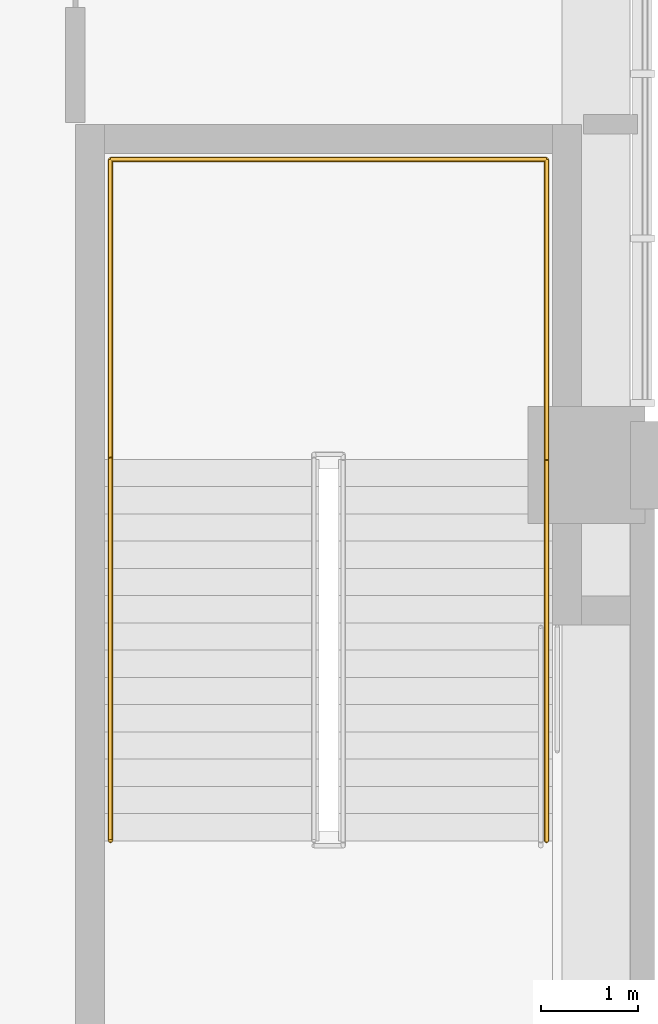
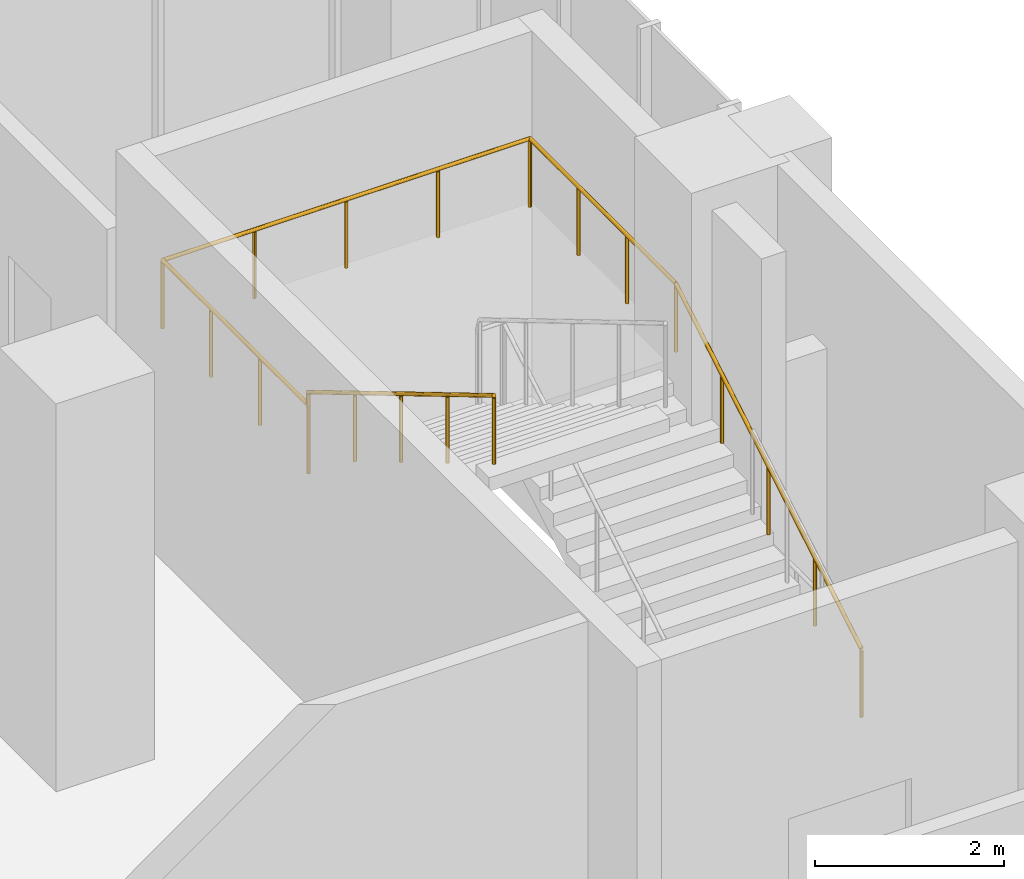
# One storey, part 24 of 24: 1 railing.
"""IFC4 building model written with IfcOpenShell, lengths in metres."""

from ifc_helpers import new_model, si_unit, direction, frame, origin, origin_2d, place, context, subcontext, project, spatial, circle, extrude, material, type_object, element, save


model = new_model("IFC4")

# Units and contexts
model_context = context("Model", 3, precision=1e-05, world=origin(), true_north=direction((0.0, 1.0)))
body_context = subcontext(model_context, "Body", "Model", "MODEL_VIEW")
ifc_project = project(units=[si_unit("LENGTHUNIT", "METRE"), si_unit("AREAUNIT", "SQUARE_METRE"), si_unit("VOLUMEUNIT", "CUBIC_METRE"), si_unit("PLANEANGLEUNIT", "RADIAN"), si_unit("MASSUNIT", "GRAM", prefix="KILO")], contexts=[model_context])

# Site, building, storey
site_placement = place(None, origin())
site = spatial("IfcSite", under=ifc_project, at=site_placement, CompositionType="ELEMENT")
building_placement = place(site_placement, origin())
building = spatial("IfcBuilding", under=site, at=building_placement, Name="Khuree Lantern Residences", CompositionType="ELEMENT")
storey_placement = place(building_placement, frame((0.0, 0.0, 6.0)))
storey = spatial("IfcBuildingStorey", under=building, at=storey_placement, Name="L01", CompositionType="ELEMENT", Elevation=6.0)

# Railing
ifc_material = material(Name="Steel S355", Category="steel")
railing_type = type_object("IfcRailingType", Name="STAIR HANDRAIL H1 900", PredefinedType="HANDRAIL", material=ifc_material)
railing_placement = place(storey_placement, frame((37.139892578125, 33.340087890625, 0.166748046875)))
element("IfcRailing", 1, at=railing_placement, inside=storey, type_object=railing_type, Name="Stair ST4 handrail", PredefinedType="HANDRAIL", context=body_context, shape_type="SweptSolid", body=[
    extrude(circle(Radius=0.02392578125, at=origin_2d()), frame((0.0, 0.0, 0.8759765625), z_axis=(0.0, 0.859296244711, 0.511478214419), x_axis=(-1.0, 0.0, 0.0)), (0.0, 0.0, 1.0), 4.561767578125),
    extrude(circle(Radius=0.02392578125, at=origin_2d()), frame((0.0, 3.919921875, 3.208984375), z_axis=(0.0, 1.0, 0.0), x_axis=(-1.0, 0.0, 0.0)), (0.0, 0.0, 1.0), 3.080078125),
    extrude(circle(Radius=0.02392578125, at=origin_2d()), frame((0.0, 7.0, 3.208984375), z_axis=(-1.0, 0.0, 0.0), x_axis=(0.0, -1.0, 0.0)), (0.0, 0.0, 1.0), 4.47998046875),
    extrude(circle(Radius=0.02392578125, at=origin_2d()), frame((-4.47998046875, 7.0, 3.208984375), z_axis=(0.0, -1.0, 0.0), x_axis=(1.0, 0.0, 0.0)), (0.0, 0.0, 1.0), 3.080078125),
    extrude(circle(Radius=0.02392578125, at=origin_2d()), frame((-4.47998046875, 3.919921875, 3.208984375), z_axis=(0.0, 0.0, 1.0), x_axis=(1.0, 0.0, 0.0)), (0.0, 0.0, 1.0), 0.166748046875),
    extrude(circle(Radius=0.02392578125, at=origin_2d()), frame((-4.47998046875, 3.919921875, 3.3759765625), z_axis=(0.0, -0.859296244711, 0.511478214419), x_axis=(1.0, 0.0, 0.0)), (0.0, 0.0, 1.0), 4.561767578125),
    extrude(circle(Radius=0.02099609375, at=origin_2d()), origin(), (0.0, 0.0, 1.0), 0.851806640625),
    extrude(circle(Radius=0.02099609375, at=origin_2d()), frame((0.0, 0.97998046875, 0.583251953125)), (0.0, 0.0, 1.0), 0.851806640625),
    extrude(circle(Radius=0.02099609375, at=origin_2d()), frame((0.0, 1.9599609375, 1.16650390625)), (0.0, 0.0, 1.0), 0.851806640625),
    extrude(circle(Radius=0.02099609375, at=origin_2d()), frame((0.0, 2.93994140625, 1.75)), (0.0, 0.0, 1.0), 0.851806640625),
    extrude(circle(Radius=0.02099609375, at=origin_2d()), frame((0.0, 3.919921875, 2.333251953125)), (0.0, 0.0, 1.0), 0.851806640625),
    extrude(circle(Radius=0.02099609375, at=origin_2d()), frame((0.0, 4.946533203125, 2.333251953125)), (0.0, 0.0, 1.0), 0.851806640625),
    extrude(circle(Radius=0.02099609375, at=origin_2d()), frame((0.0, 5.973388671875, 2.333251953125)), (0.0, 0.0, 1.0), 0.851806640625),
    extrude(circle(Radius=0.02099609375, at=origin_2d()), frame((0.0, 7.0, 2.333251953125)), (0.0, 0.0, 1.0), 0.851806640625),
    extrude(circle(Radius=0.02099609375, at=origin_2d()), frame((-1.1201171875, 7.0, 2.333251953125)), (0.0, 0.0, 1.0), 0.851806640625),
    extrude(circle(Radius=0.02099609375, at=origin_2d()), frame((-2.239990234375, 7.0, 2.333251953125)), (0.0, 0.0, 1.0), 0.851806640625),
    extrude(circle(Radius=0.02099609375, at=origin_2d()), frame((-3.35986328125, 7.0, 2.333251953125)), (0.0, 0.0, 1.0), 0.851806640625),
    extrude(circle(Radius=0.02099609375, at=origin_2d()), frame((-4.47998046875, 7.0, 2.333251953125)), (0.0, 0.0, 1.0), 0.851806640625),
    extrude(circle(Radius=0.02099609375, at=origin_2d()), frame((-4.47998046875, 5.973388671875, 2.333251953125)), (0.0, 0.0, 1.0), 0.851806640625),
    extrude(circle(Radius=0.02099609375, at=origin_2d()), frame((-4.47998046875, 4.946533203125, 2.333251953125)), (0.0, 0.0, 1.0), 0.851806640625),
    extrude(circle(Radius=0.02099609375, at=origin_2d()), frame((-4.47998046875, 3.919921875, 2.333251953125)), (0.0, 0.0, 1.0), 0.851806640625),
    extrude(circle(Radius=0.02099609375, at=origin_2d()), frame((-4.47998046875, 3.919921875, 2.5)), (0.0, 0.0, 1.0), 0.851806640625),
    extrude(circle(Radius=0.02099609375, at=origin_2d()), frame((-4.47998046875, 2.93994140625, 3.083251953125)), (0.0, 0.0, 1.0), 0.851806640625),
    extrude(circle(Radius=0.02099609375, at=origin_2d()), frame((-4.47998046875, 1.9599609375, 3.66650390625)), (0.0, 0.0, 1.0), 0.851806640625),
    extrude(circle(Radius=0.02099609375, at=origin_2d()), frame((-4.47998046875, 0.97998046875, 4.25)), (0.0, 0.0, 1.0), 0.851806640625),
    extrude(circle(Radius=0.02099609375, at=origin_2d()), frame((-4.47998046875, 0.0, 4.833251953125)), (0.0, 0.0, 1.0), 0.851806640625),
])

save(model, "model.ifc")
